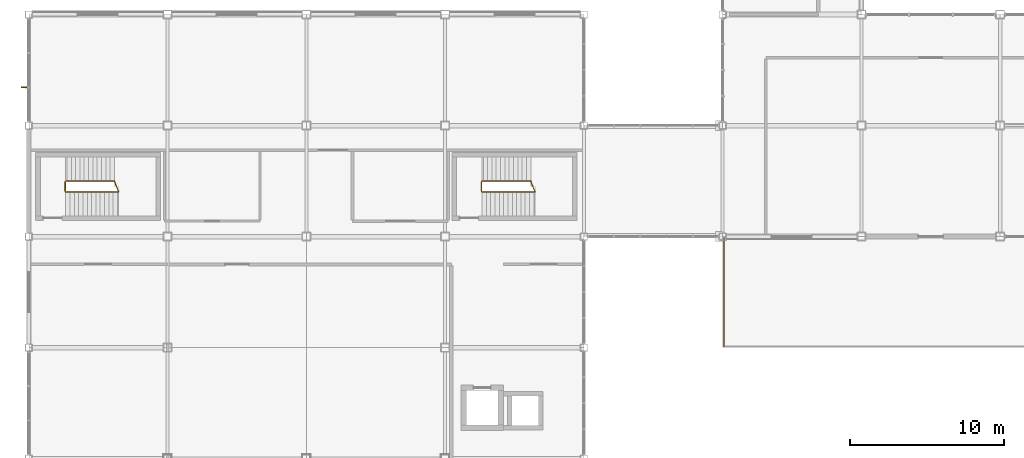
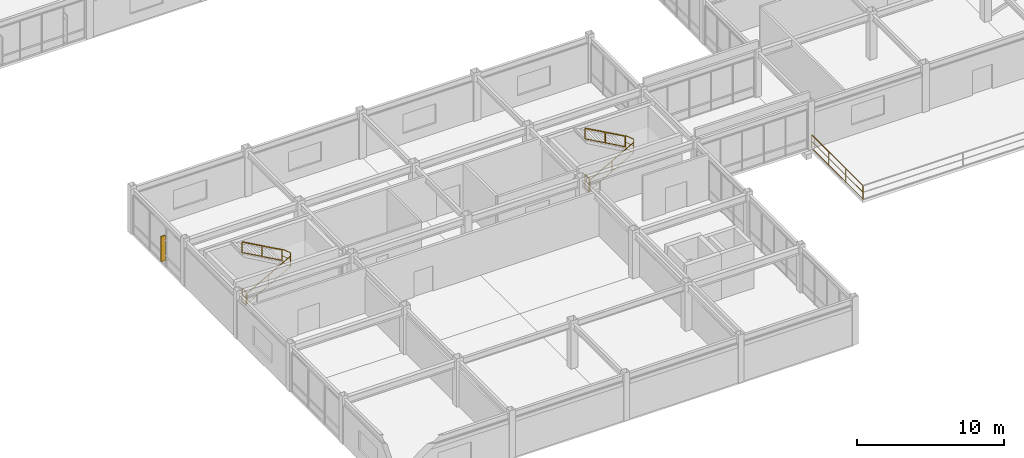
# One storey, part 115 of 122: 9 railings, 1 shading device.
"""IFC4 building model written with IfcOpenShell, lengths in metres."""

from ifc_helpers import new_model, si_unit, direction, frame, origin, origin_2d, place, context, subcontext, project, spatial, rectangle, extrude, material, type_object, element, save


model = new_model("IFC4")

# Units and contexts
model_context = context("Model", 3, precision=1e-05, world=origin(), true_north=direction((0.0, 1.0)))
body_context = subcontext(model_context, "Body", "Model", "MODEL_VIEW")
ifc_project = project(units=[si_unit("LENGTHUNIT", "METRE"), si_unit("AREAUNIT", "SQUARE_METRE"), si_unit("VOLUMEUNIT", "CUBIC_METRE"), si_unit("PLANEANGLEUNIT", "RADIAN"), si_unit("MASSUNIT", "GRAM", prefix="KILO")], contexts=[model_context])

# Site, building, storey
site_placement = place(None, origin())
site = spatial("IfcSite", under=ifc_project, at=site_placement, CompositionType="ELEMENT")
building_placement = place(site_placement, origin())
building = spatial("IfcBuilding", under=site, at=building_placement, Name="Kazanami Central Library", CompositionType="ELEMENT")
storey_placement = place(building_placement, frame((0.0, 0.0, 4.800048828125)))
storey = spatial("IfcBuildingStorey", under=building, at=storey_placement, Name="L02", CompositionType="ELEMENT", Elevation=4.800048828125)

# Railings
ifc_material_1 = material(Name="Stainless Steel SUS304", Category="steel")
railing_type_1 = type_object("IfcRailingType", Name="RAL-GR-S1", PredefinedType="GUARDRAIL", material=ifc_material_1)
railing_1_placement = place(storey_placement, frame((2.360107421875, 24.570068359375, 0.0)))
element("IfcRailing", 1, at=railing_1_placement, inside=storey, type_object=railing_type_1, Name="Stair Well Guard ST-07 L02", PredefinedType="GUARDRAIL", context=body_context, shape_type="SweptSolid", body=[
    extrude(rectangle(XDim=0.0439453125, YDim=0.0439453125, at=origin_2d()), frame((0.0, 0.02587890625, 1.1279296875), z_axis=(0.0, 1.0, 0.0), x_axis=(-1.0, 0.0, 0.0)), (0.0, 0.0, 1.0), 0.5078125),
    extrude(rectangle(XDim=0.02392578125, YDim=0.02392578125, at=origin_2d()), frame((0.0, 0.02587890625, 0.015869140625), z_axis=(0.0, 1.0, 0.0), x_axis=(-1.0, 0.0, 0.0)), (0.0, 0.0, 1.0), 0.5078125),
    extrude(rectangle(XDim=0.02392578125, YDim=0.02392578125, at=origin_2d()), frame((0.0, 0.02587890625, 0.574951171875), z_axis=(0.0, 1.0, 0.0), x_axis=(-1.0, 0.0, 0.0)), (0.0, 0.0, 1.0), 0.5078125),
    extrude(rectangle(XDim=0.035888671875, YDim=0.035888671875, at=origin_2d()), origin(), (0.0, 0.0, 1.0), 1.10205078125),
    extrude(rectangle(XDim=0.035888671875, YDim=0.035888671875, at=origin_2d()), frame((0.0, 0.559814453125, 0.0)), (0.0, 0.0, 1.0), 1.10205078125),
])
railing_2_placement = place(storey_placement, frame((5.827880859375, 24.52001953125, 2.079833984375)))
element("IfcRailing", 2, at=railing_2_placement, inside=storey, type_object=railing_type_1, Name="Half-Landing Well Guard ST-07 L02", PredefinedType="GUARDRAIL", context=body_context, shape_type="SweptSolid", body=[
    extrude(rectangle(XDim=0.0439453125, YDim=0.0439453125, at=origin_2d()), frame((-0.01025390625, 0.02392578125, 1.1279296875), z_axis=(-0.390339903858, 0.920670820357, 0.0), x_axis=(-0.920670820357, -0.390339903858, 0.0)), (0.0, 0.0, 1.0), 0.664794921875),
    extrude(rectangle(XDim=0.02392578125, YDim=0.02392578125, at=origin_2d()), frame((-0.01025390625, 0.02392578125, 0.015869140625), z_axis=(-0.390339903858, 0.920670820357, 0.0), x_axis=(-0.920670820357, -0.390339903858, 0.0)), (0.0, 0.0, 1.0), 0.664794921875),
    extrude(rectangle(XDim=0.02392578125, YDim=0.02392578125, at=origin_2d()), frame((-0.01025390625, 0.02392578125, 0.574951171875), z_axis=(-0.390339903858, 0.920670820357, 0.0), x_axis=(-0.920670820357, -0.390339903858, 0.0)), (0.0, 0.0, 1.0), 0.664794921875),
    extrude(rectangle(XDim=0.035888671875, YDim=0.035888671875, at=origin_2d()), origin(), (0.0, 0.0, 1.0), 1.10205078125),
    extrude(rectangle(XDim=0.035888671875, YDim=0.035888671875, at=origin_2d()), frame((-0.27978515625, 0.659912109375, 0.0)), (0.0, 0.0, 1.0), 1.10205078125),
])
railing_3_placement = place(storey_placement, frame((29.360107421875, 24.570068359375, 0.0)))
element("IfcRailing", 3, at=railing_3_placement, inside=storey, type_object=railing_type_1, Name="Stair Well Guard ST-08 L02", PredefinedType="GUARDRAIL", context=body_context, shape_type="SweptSolid", body=[
    extrude(rectangle(XDim=0.0439453125, YDim=0.0439453125, at=origin_2d()), frame((0.0, 0.02587890625, 1.1279296875), z_axis=(0.0, 1.0, 0.0), x_axis=(-1.0, 0.0, 0.0)), (0.0, 0.0, 1.0), 0.5078125),
    extrude(rectangle(XDim=0.02392578125, YDim=0.02392578125, at=origin_2d()), frame((0.0, 0.02587890625, 0.015869140625), z_axis=(0.0, 1.0, 0.0), x_axis=(-1.0, 0.0, 0.0)), (0.0, 0.0, 1.0), 0.5078125),
    extrude(rectangle(XDim=0.02392578125, YDim=0.02392578125, at=origin_2d()), frame((0.0, 0.02587890625, 0.574951171875), z_axis=(0.0, 1.0, 0.0), x_axis=(-1.0, 0.0, 0.0)), (0.0, 0.0, 1.0), 0.5078125),
    extrude(rectangle(XDim=0.035888671875, YDim=0.035888671875, at=origin_2d()), origin(), (0.0, 0.0, 1.0), 1.10205078125),
    extrude(rectangle(XDim=0.035888671875, YDim=0.035888671875, at=origin_2d()), frame((0.0, 0.559814453125, 0.0)), (0.0, 0.0, 1.0), 1.10205078125),
])
railing_4_placement = place(storey_placement, frame((32.827880859375, 24.52001953125, 2.079833984375)))
element("IfcRailing", 4, at=railing_4_placement, inside=storey, type_object=railing_type_1, Name="Half-Landing Well Guard ST-08 L02", PredefinedType="GUARDRAIL", context=body_context, shape_type="SweptSolid", body=[
    extrude(rectangle(XDim=0.0439453125, YDim=0.0439453125, at=origin_2d()), frame((-0.01025390625, 0.02392578125, 1.1279296875), z_axis=(-0.390339903858, 0.920670820357, 0.0), x_axis=(-0.920670820357, -0.390339903858, 0.0)), (0.0, 0.0, 1.0), 0.664794921875),
    extrude(rectangle(XDim=0.02392578125, YDim=0.02392578125, at=origin_2d()), frame((-0.01025390625, 0.02392578125, 0.015869140625), z_axis=(-0.390339903858, 0.920670820357, 0.0), x_axis=(-0.920670820357, -0.390339903858, 0.0)), (0.0, 0.0, 1.0), 0.664794921875),
    extrude(rectangle(XDim=0.02392578125, YDim=0.02392578125, at=origin_2d()), frame((-0.01025390625, 0.02392578125, 0.574951171875), z_axis=(-0.390339903858, 0.920670820357, 0.0), x_axis=(-0.920670820357, -0.390339903858, 0.0)), (0.0, 0.0, 1.0), 0.664794921875),
    extrude(rectangle(XDim=0.035888671875, YDim=0.035888671875, at=origin_2d()), origin(), (0.0, 0.0, 1.0), 1.10205078125),
    extrude(rectangle(XDim=0.035888671875, YDim=0.035888671875, at=origin_2d()), frame((-0.27978515625, 0.659912109375, 0.0)), (0.0, 0.0, 1.0), 1.10205078125),
])
railing_type_2 = type_object("IfcRailingType", Name="RAL-GR-T1", PredefinedType="GUARDRAIL", material=ifc_material_1)
railing_5_placement = place(storey_placement, frame((45.080078125, 14.47998046875, 0.0)))
element("IfcRailing", 5, at=railing_5_placement, inside=storey, type_object=railing_type_2, Name="Terrace Perimeter Guard Waterfront Colonnade Reading Terrace L02 (West)", PredefinedType="GUARDRAIL", context=body_context, shape_type="SweptSolid", body=[
    extrude(rectangle(XDim=0.0439453125, YDim=0.0439453125, at=origin_2d()), frame((0.0, 0.02587890625, 1.1279296875), z_axis=(0.0, 1.0, 0.0), x_axis=(-1.0, 0.0, 0.0)), (0.0, 0.0, 1.0), 6.988037109375),
    extrude(rectangle(XDim=0.02392578125, YDim=0.02392578125, at=origin_2d()), frame((0.0, 0.02587890625, 0.015869140625), z_axis=(0.0, 1.0, 0.0), x_axis=(-1.0, 0.0, 0.0)), (0.0, 0.0, 1.0), 6.988037109375),
    extrude(rectangle(XDim=0.02392578125, YDim=0.02392578125, at=origin_2d()), frame((0.0, 0.02587890625, 0.574951171875), z_axis=(0.0, 1.0, 0.0), x_axis=(-1.0, 0.0, 0.0)), (0.0, 0.0, 1.0), 6.988037109375),
    extrude(rectangle(XDim=0.035888671875, YDim=0.035888671875, at=origin_2d()), origin(), (0.0, 0.0, 1.0), 1.10205078125),
    extrude(rectangle(XDim=0.035888671875, YDim=0.035888671875, at=origin_2d()), frame((0.0, 2.3466796875, 0.0)), (0.0, 0.0, 1.0), 1.10205078125),
    extrude(rectangle(XDim=0.035888671875, YDim=0.035888671875, at=origin_2d()), frame((0.0, 4.693359375, 0.0)), (0.0, 0.0, 1.0), 1.10205078125),
    extrude(rectangle(XDim=0.035888671875, YDim=0.035888671875, at=origin_2d()), frame((0.0, 7.0400390625, 0.0)), (0.0, 0.0, 1.0), 1.10205078125),
])
railing_type_3 = type_object("IfcRailingType", Name="RAL-HR-01", PredefinedType="HANDRAIL", material=ifc_material_1)
for number, where, name in (
    (6, (2.39404296875, 24.5, 0.159912109375), "Stair Handrail ST-07 Flight 1 (L02)"),
    (7, (29.39404296875, 24.5, 0.159912109375), "Stair Handrail ST-08 Flight 1 (L02)"),
):
    element("IfcRailing", number, at=place(storey_placement, frame(where)), inside=storey, type_object=railing_type_3, Name=name, PredefinedType="HANDRAIL", context=body_context, shape_type="SweptSolid", body=[
        extrude(rectangle(XDim=0.0439453125, YDim=0.0439453125, at=origin_2d()), frame((0.022705078125, 0.0, 0.890625), z_axis=(0.872833868075, 0.0, 0.488017457415), x_axis=(0.0, 1.0, 0.0)), (0.0, 0.0, 1.0), 3.882080078125),
        extrude(rectangle(XDim=0.02392578125, YDim=0.02392578125, at=origin_2d()), frame((0.022705078125, 0.0, 0.028564453125), z_axis=(0.872833868075, 0.0, 0.488017457415), x_axis=(0.0, 1.0, 0.0)), (0.0, 0.0, 1.0), 3.882080078125),
        extrude(rectangle(XDim=0.035888671875, YDim=0.035888671875, at=origin_2d()), origin(), (0.0, 0.0, 1.0), 0.85205078125),
        extrude(rectangle(XDim=0.035888671875, YDim=0.035888671875, at=origin_2d()), frame((1.716796875, 0.0, 0.9599609375)), (0.0, 0.0, 1.0), 0.85205078125),
        extrude(rectangle(XDim=0.035888671875, YDim=0.035888671875, at=origin_2d()), frame((3.433837890625, 0.0, 1.919921875)), (0.0, 0.0, 1.0), 0.85205078125),
    ])
railing_type_4 = type_object("IfcRailingType", Name="RAL-HR-02", PredefinedType="HANDRAIL", material=ifc_material_1)
for number, where, name in (
    (8, (5.553955078125, 25.199951171875, 2.239990234375), "Stair Handrail ST-07 Flight 2 (L02)"),
    (9, (32.553955078125, 25.199951171875, 2.239990234375), "Stair Handrail ST-08 Flight 2 (L02)"),
):
    element("IfcRailing", number, at=place(storey_placement, frame(where)), inside=storey, type_object=railing_type_4, Name=name, PredefinedType="HANDRAIL", context=body_context, shape_type="SweptSolid", body=[
        extrude(rectangle(XDim=0.0439453125, YDim=0.0439453125, at=origin_2d()), frame((-0.022705078125, 0.0, 0.91064453125), z_axis=(-0.873243856975, 0.0, 0.487283455758), x_axis=(0.0, -1.0, 0.0)), (0.0, 0.0, 1.0), 3.559814453125),
        extrude(rectangle(XDim=0.02392578125, YDim=0.02392578125, at=origin_2d()), frame((-0.022705078125, 0.0, 0.028564453125), z_axis=(-0.873243856975, 0.0, 0.487283455758), x_axis=(0.0, -1.0, 0.0)), (0.0, 0.0, 1.0), 3.559814453125),
        extrude(rectangle(XDim=0.035888671875, YDim=0.035888671875, at=origin_2d()), origin(), (0.0, 0.0, 1.0), 0.8720703125),
        extrude(rectangle(XDim=0.035888671875, YDim=0.035888671875, at=origin_2d()), frame((-1.5771484375, 0.0, 0.8798828125)), (0.0, 0.0, 1.0), 0.8720703125),
        extrude(rectangle(XDim=0.035888671875, YDim=0.035888671875, at=origin_2d()), frame((-3.154052734375, 0.0, 1.760009765625)), (0.0, 0.0, 1.0), 0.8720703125),
    ])

# Shading device
ifc_material_2 = material(Name="Anodised Bronze-Grey Aluminium A6063-T5", Category="aluminium")
shading_device_type = type_object("IfcShadingDeviceType", Name="SHD-FIN-1", PredefinedType="USERDEFINED", material=ifc_material_2)
shading_device_placement = place(storey_placement, frame((-0.300048828125, 31.27490234375, 0.577392578125), z_axis=(0.0, 0.0, 1.0), x_axis=(0.0, 1.0, 0.0)))
element("IfcShadingDevice", 10, at=shading_device_placement, inside=storey, type_object=shading_device_type, Name="Vertical Solar Fin SF-01 L02 W-1-04.1", ObjectType="SOLAR FIN", PredefinedType="USERDEFINED", context=body_context, shape_type="SweptSolid", body=[
    extrude(rectangle(XDim=0.06005859375, YDim=0.360107421875, at=origin_2d()), origin(), (0.0, 0.0, 1.0), 2.10009765625),
])

save(model, "model.ifc")
